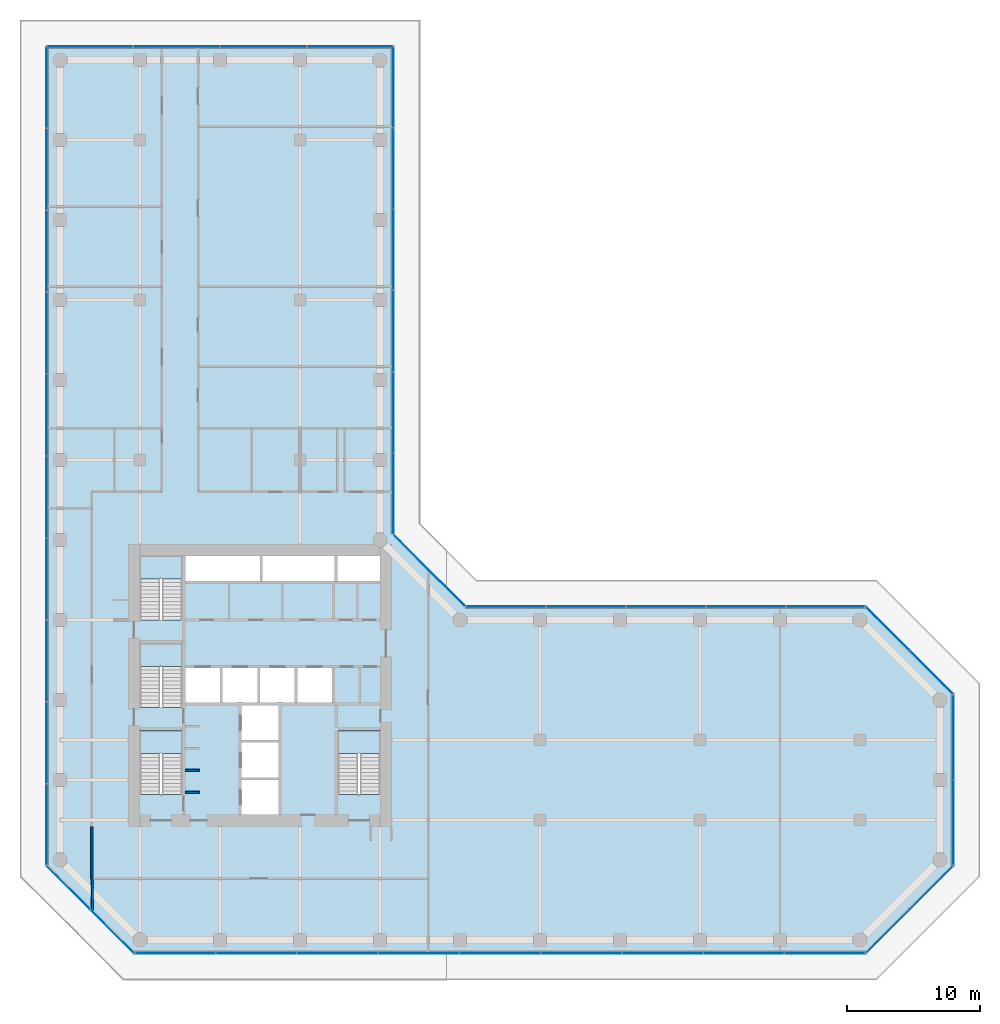
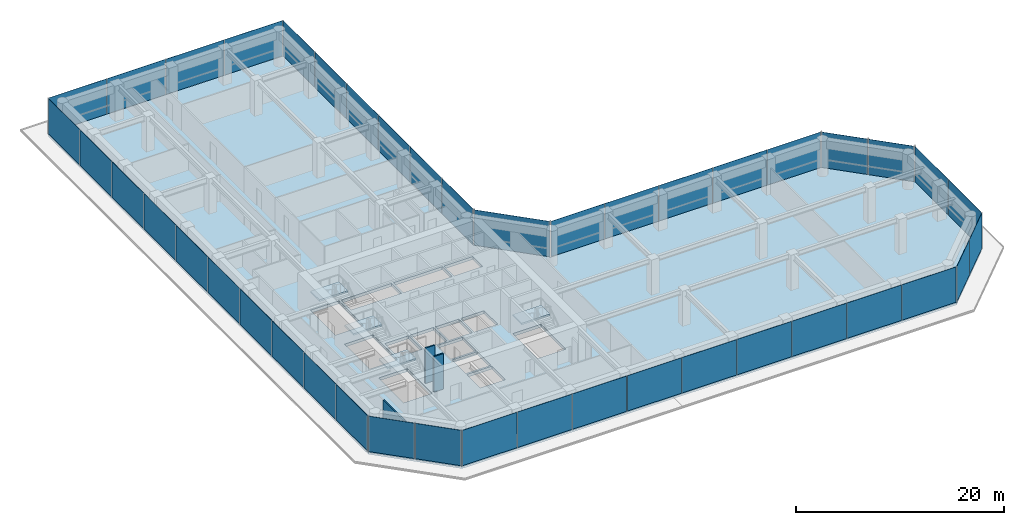
# One storey, part 20 of 24: 43 plates, 5 slabs, 4 walls, 14 elements without a shape of their own.
"""IFC4 building model written with IfcOpenShell, lengths in metres."""

from ifc_helpers import new_model, si_unit, direction, frame, frame_2d, origin, origin_2d, place, context, subcontext, project, spatial, polyline, rectangle, outline, extrude, material, layer, layer_set, type_object, element, aggregate, save


model = new_model("IFC4")

# Units and contexts
model_context = context("Model", 3, precision=1e-05, world=origin(), true_north=direction((0.0, 1.0)))
body_context = subcontext(model_context, "Body", "Model", "MODEL_VIEW")
ifc_project = project(units=[si_unit("LENGTHUNIT", "METRE"), si_unit("AREAUNIT", "SQUARE_METRE"), si_unit("VOLUMEUNIT", "CUBIC_METRE"), si_unit("PLANEANGLEUNIT", "RADIAN"), si_unit("MASSUNIT", "GRAM", prefix="KILO")], contexts=[model_context])

# Site, building, storey
site_placement = place(None, origin())
site = spatial("IfcSite", under=ifc_project, at=site_placement, CompositionType="ELEMENT")
building_placement = place(site_placement, origin())
building = spatial("IfcBuilding", under=site, at=building_placement, Name="Welwitschia Terrace Campus", CompositionType="ELEMENT")
storey_placement = place(building_placement, frame((0.0, 0.0, 20.0)))
storey = spatial("IfcBuildingStorey", under=building, at=storey_placement, Name="L04", CompositionType="ELEMENT", Elevation=20.0)

# Curtain wall, plates
ifc_material_1 = material(Name="Bronze anodised aluminium", Category="aluminium")
ifc_layer_1 = layer(ifc_material_1, 0.1201171875)
ifc_layer_set_1 = layer_set([ifc_layer_1], Name="Bronze anodised aluminium")
curtain_wall_type = type_object("IfcCurtainWallType", Name="Curtain wall CW2 tower 6000", PredefinedType="NOTDEFINED", material=ifc_layer_set_1)
curtain_wall_1_placement = place(storey_placement, origin())
curtain_wall_1 = element("IfcCurtainWall", 1, at=curtain_wall_1_placement, inside=storey, type_object=curtain_wall_type, Name="CW L04.0.0", PredefinedType="NOTDEFINED")
ifc_material_2 = material(Name="Tinted bronze-grey glass", Category="glass")
ifc_layer_2 = layer(ifc_material_2, 0.028076171875)
ifc_layer_set_2 = layer_set([ifc_layer_2], Name="Tinted bronze-grey glass")
plate_type = type_object("IfcPlateType", Name="Glass panel 28 tinted", PredefinedType="CURTAIN_PANEL", material=ifc_layer_set_2)
plate_1_placement = place(storey_placement, frame((0.639892578125, -0.08251953125, 0.0), z_axis=(0.0, 0.0, 1.0), x_axis=(0.707106781187, -0.707106781187, 0.0)))
plate_1 = element("IfcPlate", 2, at=plate_1_placement, type_object=plate_type, Name="Panel L04.0.0.0", PredefinedType="CURTAIN_PANEL", context=body_context, shape_type="SweptSolid", body=[
    extrude(rectangle(XDim=4.5751953125, YDim=0.028076171875, at=origin_2d()), origin(), (0.0, 0.0, 1.0), 4.14990234375),
])
plate_2_placement = place(storey_placement, frame((3.91748046875, -3.360107421875, 0.0), z_axis=(0.0, 0.0, 1.0), x_axis=(0.707106781187, -0.707106781187, 0.0)))
plate_2 = element("IfcPlate", 3, at=plate_2_placement, type_object=plate_type, Name="Panel L04.0.0.1", PredefinedType="CURTAIN_PANEL", context=body_context, shape_type="SweptSolid", body=[
    extrude(rectangle(XDim=4.5751953125, YDim=0.028076171875, at=origin_2d()), origin(), (0.0, 0.0, 1.0), 4.14990234375),
])
aggregate(curtain_wall_1, [plate_1, plate_2])

curtain_wall_2_placement = place(storey_placement, origin())
curtain_wall_2 = element("IfcCurtainWall", 4, at=curtain_wall_2_placement, inside=storey, type_object=curtain_wall_type, Name="CW L04.1.0", PredefinedType="NOTDEFINED")
plate_3_placement = place(storey_placement, frame((8.639404296875, -5.02001953125, 0.0), z_axis=(0.0, 0.0, 1.0), x_axis=(1.0, 0.0, 0.0)))
plate_3 = element("IfcPlate", 5, at=plate_3_placement, type_object=plate_type, Name="Panel L04.1.0.0", PredefinedType="CURTAIN_PANEL", context=body_context, shape_type="SweptSolid", body=[
    extrude(rectangle(XDim=6.00390625, YDim=0.028076171875, at=origin_2d()), origin(), (0.0, 0.0, 1.0), 4.14990234375),
])
plate_4_placement = place(storey_placement, frame((14.71826171875, -5.02001953125, 0.0), z_axis=(0.0, 0.0, 1.0), x_axis=(1.0, 0.0, 0.0)))
plate_4 = element("IfcPlate", 6, at=plate_4_placement, type_object=plate_type, Name="Panel L04.1.0.1", PredefinedType="CURTAIN_PANEL", context=body_context, shape_type="SweptSolid", body=[
    extrude(rectangle(XDim=6.033935546875, YDim=0.028076171875, at=origin_2d()), origin(), (0.0, 0.0, 1.0), 4.14990234375),
])
plate_5_placement = place(storey_placement, frame((20.812255859375, -5.02001953125, 0.0), z_axis=(0.0, 0.0, 1.0), x_axis=(1.0, 0.0, 0.0)))
plate_5 = element("IfcPlate", 7, at=plate_5_placement, type_object=plate_type, Name="Panel L04.1.0.2", PredefinedType="CURTAIN_PANEL", context=body_context, shape_type="SweptSolid", body=[
    extrude(rectangle(XDim=6.033935546875, YDim=0.028076171875, at=origin_2d()), origin(), (0.0, 0.0, 1.0), 4.14990234375),
])
plate_6_placement = place(storey_placement, frame((26.906005859375, -5.02001953125, 0.0), z_axis=(0.0, 0.0, 1.0), x_axis=(1.0, 0.0, 0.0)))
plate_6 = element("IfcPlate", 8, at=plate_6_placement, type_object=plate_type, Name="Panel L04.1.0.3", PredefinedType="CURTAIN_PANEL", context=body_context, shape_type="SweptSolid", body=[
    extrude(rectangle(XDim=6.033935546875, YDim=0.028076171875, at=origin_2d()), origin(), (0.0, 0.0, 1.0), 4.14990234375),
])
plate_7_placement = place(storey_placement, frame((33.0, -5.02001953125, 0.0), z_axis=(0.0, 0.0, 1.0), x_axis=(1.0, 0.0, 0.0)))
plate_7 = element("IfcPlate", 9, at=plate_7_placement, type_object=plate_type, Name="Panel L04.1.0.4", PredefinedType="CURTAIN_PANEL", context=body_context, shape_type="SweptSolid", body=[
    extrude(rectangle(XDim=6.033935546875, YDim=0.028076171875, at=origin_2d()), origin(), (0.0, 0.0, 1.0), 4.14990234375),
])
plate_8_placement = place(storey_placement, frame((39.093994140625, -5.02001953125, 0.0), z_axis=(0.0, 0.0, 1.0), x_axis=(1.0, 0.0, 0.0)))
plate_8 = element("IfcPlate", 10, at=plate_8_placement, type_object=plate_type, Name="Panel L04.1.0.5", PredefinedType="CURTAIN_PANEL", context=body_context, shape_type="SweptSolid", body=[
    extrude(rectangle(XDim=6.033935546875, YDim=0.028076171875, at=origin_2d()), origin(), (0.0, 0.0, 1.0), 4.14990234375),
])
plate_9_placement = place(storey_placement, frame((45.187744140625, -5.02001953125, 0.0), z_axis=(0.0, 0.0, 1.0), x_axis=(1.0, 0.0, 0.0)))
plate_9 = element("IfcPlate", 11, at=plate_9_placement, type_object=plate_type, Name="Panel L04.1.0.6", PredefinedType="CURTAIN_PANEL", context=body_context, shape_type="SweptSolid", body=[
    extrude(rectangle(XDim=6.033935546875, YDim=0.028076171875, at=origin_2d()), origin(), (0.0, 0.0, 1.0), 4.14990234375),
])
plate_10_placement = place(storey_placement, frame((51.28173828125, -5.02001953125, 0.0), z_axis=(0.0, 0.0, 1.0), x_axis=(1.0, 0.0, 0.0)))
plate_10 = element("IfcPlate", 12, at=plate_10_placement, type_object=plate_type, Name="Panel L04.1.0.7", PredefinedType="CURTAIN_PANEL", context=body_context, shape_type="SweptSolid", body=[
    extrude(rectangle(XDim=6.033935546875, YDim=0.028076171875, at=origin_2d()), origin(), (0.0, 0.0, 1.0), 4.14990234375),
])
plate_11_placement = place(storey_placement, frame((57.360595703125, -5.02001953125, 0.0), z_axis=(0.0, 0.0, 1.0), x_axis=(1.0, 0.0, 0.0)))
plate_11 = element("IfcPlate", 13, at=plate_11_placement, type_object=plate_type, Name="Panel L04.1.0.8", PredefinedType="CURTAIN_PANEL", context=body_context, shape_type="SweptSolid", body=[
    extrude(rectangle(XDim=6.00390625, YDim=0.028076171875, at=origin_2d()), origin(), (0.0, 0.0, 1.0), 4.14990234375),
])
aggregate(curtain_wall_2, [plate_3, plate_4, plate_5, plate_6, plate_7, plate_8, plate_9, plate_10, plate_11])

curtain_wall_3_placement = place(storey_placement, origin())
curtain_wall_3 = element("IfcCurtainWall", 14, at=curtain_wall_3_placement, inside=storey, type_object=curtain_wall_type, Name="CW L04.2.0", PredefinedType="NOTDEFINED")
plate_12_placement = place(storey_placement, frame((62.08251953125, -3.360107421875, 0.0), z_axis=(0.0, 0.0, 1.0), x_axis=(0.707106781187, 0.707106781187, 0.0)))
plate_12 = element("IfcPlate", 15, at=plate_12_placement, type_object=plate_type, Name="Panel L04.2.0.0", PredefinedType="CURTAIN_PANEL", context=body_context, shape_type="SweptSolid", body=[
    extrude(rectangle(XDim=4.5751953125, YDim=0.028076171875, at=origin_2d()), origin(), (0.0, 0.0, 1.0), 4.14990234375),
])
plate_13_placement = place(storey_placement, frame((65.360107421875, -0.08251953125, 0.0), z_axis=(0.0, 0.0, 1.0), x_axis=(0.707106781187, 0.707106781187, 0.0)))
plate_13 = element("IfcPlate", 16, at=plate_13_placement, type_object=plate_type, Name="Panel L04.2.0.1", PredefinedType="CURTAIN_PANEL", context=body_context, shape_type="SweptSolid", body=[
    extrude(rectangle(XDim=4.5751953125, YDim=0.028076171875, at=origin_2d()), origin(), (0.0, 0.0, 1.0), 4.14990234375),
])
aggregate(curtain_wall_3, [plate_12, plate_13])

curtain_wall_4_placement = place(storey_placement, origin())
curtain_wall_4 = element("IfcCurtainWall", 17, at=curtain_wall_4_placement, inside=storey, type_object=curtain_wall_type, Name="CW L04.3.0", PredefinedType="NOTDEFINED")
plate_14_placement = place(storey_placement, frame((67.02001953125, 4.8037109375, 0.0), z_axis=(0.0, 0.0, 1.0), x_axis=(0.0, 1.0, 0.0)))
plate_14 = element("IfcPlate", 18, at=plate_14_placement, type_object=plate_type, Name="Panel L04.3.0.0", PredefinedType="CURTAIN_PANEL", context=body_context, shape_type="SweptSolid", body=[
    extrude(rectangle(XDim=6.33251953125, YDim=0.028076171875, at=origin_2d()), origin(), (0.0, 0.0, 1.0), 4.14990234375),
])
plate_15_placement = place(storey_placement, frame((67.02001953125, 11.1962890625, 0.0), z_axis=(0.0, 0.0, 1.0), x_axis=(0.0, 1.0, 0.0)))
plate_15 = element("IfcPlate", 19, at=plate_15_placement, type_object=plate_type, Name="Panel L04.3.0.1", PredefinedType="CURTAIN_PANEL", context=body_context, shape_type="SweptSolid", body=[
    extrude(rectangle(XDim=6.33251953125, YDim=0.028076171875, at=origin_2d()), origin(), (0.0, 0.0, 1.0), 4.14990234375),
])
aggregate(curtain_wall_4, [plate_14, plate_15])

curtain_wall_5_placement = place(storey_placement, origin())
curtain_wall_5 = element("IfcCurtainWall", 20, at=curtain_wall_5_placement, inside=storey, type_object=curtain_wall_type, Name="CW L04.4.0", PredefinedType="NOTDEFINED")
plate_16_placement = place(storey_placement, frame((65.360107421875, 16.08251953125, 0.0), z_axis=(0.0, 0.0, 1.0), x_axis=(-0.707106781187, 0.707106781187, 0.0)))
plate_16 = element("IfcPlate", 21, at=plate_16_placement, type_object=plate_type, Name="Panel L04.4.0.0", PredefinedType="CURTAIN_PANEL", context=body_context, shape_type="SweptSolid", body=[
    extrude(rectangle(XDim=4.5751953125, YDim=0.028076171875, at=origin_2d()), origin(), (0.0, 0.0, 1.0), 4.14990234375),
])
plate_17_placement = place(storey_placement, frame((62.08251953125, 19.360107421875, 0.0), z_axis=(0.0, 0.0, 1.0), x_axis=(-0.707106781187, 0.707106781187, 0.0)))
plate_17 = element("IfcPlate", 22, at=plate_17_placement, type_object=plate_type, Name="Panel L04.4.0.1", PredefinedType="CURTAIN_PANEL", context=body_context, shape_type="SweptSolid", body=[
    extrude(rectangle(XDim=4.5751953125, YDim=0.028076171875, at=origin_2d()), origin(), (0.0, 0.0, 1.0), 4.14990234375),
])
aggregate(curtain_wall_5, [plate_16, plate_17])

curtain_wall_6_placement = place(storey_placement, origin())
curtain_wall_6 = element("IfcCurtainWall", 23, at=curtain_wall_6_placement, inside=storey, type_object=curtain_wall_type, Name="CW L04.5.0", PredefinedType="NOTDEFINED")
plate_18_placement = place(storey_placement, frame((57.407470703125, 21.02001953125, 0.0), z_axis=(0.0, 0.0, 1.0), x_axis=(-1.0, 0.0, 0.0)))
plate_18 = element("IfcPlate", 24, at=plate_18_placement, type_object=plate_type, Name="Panel L04.5.0.0", PredefinedType="CURTAIN_PANEL", context=body_context, shape_type="SweptSolid", body=[
    extrude(rectangle(XDim=5.909912109375, YDim=0.028076171875, at=origin_2d()), origin(), (0.0, 0.0, 1.0), 4.14990234375),
])
plate_19_placement = place(storey_placement, frame((51.422607421875, 21.02001953125, 0.0), z_axis=(0.0, 0.0, 1.0), x_axis=(-1.0, 0.0, 0.0)))
plate_19 = element("IfcPlate", 25, at=plate_19_placement, type_object=plate_type, Name="Panel L04.5.0.1", PredefinedType="CURTAIN_PANEL", context=body_context, shape_type="SweptSolid", body=[
    extrude(rectangle(XDim=5.93994140625, YDim=0.028076171875, at=origin_2d()), origin(), (0.0, 0.0, 1.0), 4.14990234375),
])
plate_20_placement = place(storey_placement, frame((45.422607421875, 21.02001953125, 0.0), z_axis=(0.0, 0.0, 1.0), x_axis=(-1.0, 0.0, 0.0)))
plate_20 = element("IfcPlate", 26, at=plate_20_placement, type_object=plate_type, Name="Panel L04.5.0.2", PredefinedType="CURTAIN_PANEL", context=body_context, shape_type="SweptSolid", body=[
    extrude(rectangle(XDim=5.93994140625, YDim=0.028076171875, at=origin_2d()), origin(), (0.0, 0.0, 1.0), 4.14990234375),
])
plate_21_placement = place(storey_placement, frame((39.422607421875, 21.02001953125, 0.0), z_axis=(0.0, 0.0, 1.0), x_axis=(-1.0, 0.0, 0.0)))
plate_21 = element("IfcPlate", 27, at=plate_21_placement, type_object=plate_type, Name="Panel L04.5.0.3", PredefinedType="CURTAIN_PANEL", context=body_context, shape_type="SweptSolid", body=[
    extrude(rectangle(XDim=5.93994140625, YDim=0.028076171875, at=origin_2d()), origin(), (0.0, 0.0, 1.0), 4.14990234375),
])
plate_22_placement = place(storey_placement, frame((33.4375, 21.02001953125, 0.0), z_axis=(0.0, 0.0, 1.0), x_axis=(-1.0, 0.0, 0.0)))
plate_22 = element("IfcPlate", 28, at=plate_22_placement, type_object=plate_type, Name="Panel L04.5.0.4", PredefinedType="CURTAIN_PANEL", context=body_context, shape_type="SweptSolid", body=[
    extrude(rectangle(XDim=5.909912109375, YDim=0.028076171875, at=origin_2d()), origin(), (0.0, 0.0, 1.0), 4.14990234375),
])
aggregate(curtain_wall_6, [plate_18, plate_19, plate_20, plate_21, plate_22])

# Curtain wall, plate
curtain_wall_7_placement = place(storey_placement, origin())
curtain_wall_7 = element("IfcCurtainWall", 29, at=curtain_wall_7_placement, inside=storey, type_object=curtain_wall_type, Name="CW L04.6.0", PredefinedType="NOTDEFINED")
plate_23_placement = place(storey_placement, frame((27.72119140625, 23.72119140625, 0.0), z_axis=(0.0, 0.0, 1.0), x_axis=(-0.707106781187, 0.707106781187, 0.0)))
plate_23 = element("IfcPlate", 30, at=plate_23_placement, type_object=plate_type, Name="Panel L04.6.0.0", PredefinedType="CURTAIN_PANEL", context=body_context, shape_type="SweptSolid", body=[
    extrude(rectangle(XDim=7.520263671875, YDim=0.028076171875, at=origin_2d()), origin(), (0.0, 0.0, 1.0), 4.14990234375),
])
aggregate(curtain_wall_7, [plate_23])

# Curtain wall, plates
curtain_wall_8_placement = place(storey_placement, origin())
curtain_wall_8 = element("IfcCurtainWall", 31, at=curtain_wall_8_placement, inside=storey, type_object=curtain_wall_type, Name="CW L04.7.0", PredefinedType="NOTDEFINED")
plate_24_placement = place(storey_placement, frame((25.02001953125, 29.4873046875, 0.0), z_axis=(0.0, 0.0, 1.0), x_axis=(0.0, 1.0, 0.0)))
plate_24 = element("IfcPlate", 32, at=plate_24_placement, type_object=plate_type, Name="Panel L04.7.0.0", PredefinedType="CURTAIN_PANEL", context=body_context, shape_type="SweptSolid", body=[
    extrude(rectangle(XDim=6.009521484375, YDim=0.028076171875, at=origin_2d()), origin(), (0.0, 0.0, 1.0), 4.14990234375),
])
plate_25_placement = place(storey_placement, frame((25.02001953125, 35.57177734375, 0.0), z_axis=(0.0, 0.0, 1.0), x_axis=(0.0, 1.0, 0.0)))
plate_25 = element("IfcPlate", 33, at=plate_25_placement, type_object=plate_type, Name="Panel L04.7.0.1", PredefinedType="CURTAIN_PANEL", context=body_context, shape_type="SweptSolid", body=[
    extrude(rectangle(XDim=6.03955078125, YDim=0.028076171875, at=origin_2d()), origin(), (0.0, 0.0, 1.0), 4.14990234375),
])
plate_26_placement = place(storey_placement, frame((25.02001953125, 41.67138671875, 0.0), z_axis=(0.0, 0.0, 1.0), x_axis=(0.0, 1.0, 0.0)))
plate_26 = element("IfcPlate", 34, at=plate_26_placement, type_object=plate_type, Name="Panel L04.7.0.2", PredefinedType="CURTAIN_PANEL", context=body_context, shape_type="SweptSolid", body=[
    extrude(rectangle(XDim=6.03955078125, YDim=0.028076171875, at=origin_2d()), origin(), (0.0, 0.0, 1.0), 4.14990234375),
])
plate_27_placement = place(storey_placement, frame((25.02001953125, 47.77099609375, 0.0), z_axis=(0.0, 0.0, 1.0), x_axis=(0.0, 1.0, 0.0)))
plate_27 = element("IfcPlate", 35, at=plate_27_placement, type_object=plate_type, Name="Panel L04.7.0.3", PredefinedType="CURTAIN_PANEL", context=body_context, shape_type="SweptSolid", body=[
    extrude(rectangle(XDim=6.03955078125, YDim=0.028076171875, at=origin_2d()), origin(), (0.0, 0.0, 1.0), 4.14990234375),
])
plate_28_placement = place(storey_placement, frame((25.02001953125, 53.87060546875, 0.0), z_axis=(0.0, 0.0, 1.0), x_axis=(0.0, 1.0, 0.0)))
plate_28 = element("IfcPlate", 36, at=plate_28_placement, type_object=plate_type, Name="Panel L04.7.0.4", PredefinedType="CURTAIN_PANEL", context=body_context, shape_type="SweptSolid", body=[
    extrude(rectangle(XDim=6.03955078125, YDim=0.028076171875, at=origin_2d()), origin(), (0.0, 0.0, 1.0), 4.14990234375),
])
plate_29_placement = place(storey_placement, frame((25.02001953125, 59.955322265625, 0.0), z_axis=(0.0, 0.0, 1.0), x_axis=(0.0, 1.0, 0.0)))
plate_29 = element("IfcPlate", 37, at=plate_29_placement, type_object=plate_type, Name="Panel L04.7.0.5", PredefinedType="CURTAIN_PANEL", context=body_context, shape_type="SweptSolid", body=[
    extrude(rectangle(XDim=6.009521484375, YDim=0.028076171875, at=origin_2d()), origin(), (0.0, 0.0, 1.0), 4.14990234375),
])
aggregate(curtain_wall_8, [plate_24, plate_25, plate_26, plate_27, plate_28, plate_29])

curtain_wall_9_placement = place(storey_placement, origin())
curtain_wall_9 = element("IfcCurtainWall", 38, at=curtain_wall_9_placement, inside=storey, type_object=curtain_wall_type, Name="CW L04.8.0", PredefinedType="NOTDEFINED")
plate_30_placement = place(storey_placement, frame((21.75, 63.02001953125, 0.0), z_axis=(0.0, 0.0, 1.0), x_axis=(-1.0, 0.0, 0.0)))
plate_30 = element("IfcPlate", 39, at=plate_30_placement, type_object=plate_type, Name="Panel L04.8.0.0", PredefinedType="CURTAIN_PANEL", context=body_context, shape_type="SweptSolid", body=[
    extrude(rectangle(XDim=6.419921875, YDim=0.028076171875, at=origin_2d()), origin(), (0.0, 0.0, 1.0), 4.14990234375),
])
plate_31_placement = place(storey_placement, frame((15.2548828125, 63.02001953125, 0.0), z_axis=(0.0, 0.0, 1.0), x_axis=(-1.0, 0.0, 0.0)))
plate_31 = element("IfcPlate", 40, at=plate_31_placement, type_object=plate_type, Name="Panel L04.8.0.1", PredefinedType="CURTAIN_PANEL", context=body_context, shape_type="SweptSolid", body=[
    extrude(rectangle(XDim=6.449951171875, YDim=0.028076171875, at=origin_2d()), origin(), (0.0, 0.0, 1.0), 4.14990234375),
])
plate_32_placement = place(storey_placement, frame((8.7451171875, 63.02001953125, 0.0), z_axis=(0.0, 0.0, 1.0), x_axis=(-1.0, 0.0, 0.0)))
plate_32 = element("IfcPlate", 41, at=plate_32_placement, type_object=plate_type, Name="Panel L04.8.0.2", PredefinedType="CURTAIN_PANEL", context=body_context, shape_type="SweptSolid", body=[
    extrude(rectangle(XDim=6.449951171875, YDim=0.028076171875, at=origin_2d()), origin(), (0.0, 0.0, 1.0), 4.14990234375),
])
plate_33_placement = place(storey_placement, frame((2.25, 63.02001953125, 0.0), z_axis=(0.0, 0.0, 1.0), x_axis=(-1.0, 0.0, 0.0)))
plate_33 = element("IfcPlate", 42, at=plate_33_placement, type_object=plate_type, Name="Panel L04.8.0.3", PredefinedType="CURTAIN_PANEL", context=body_context, shape_type="SweptSolid", body=[
    extrude(rectangle(XDim=6.419921875, YDim=0.028076171875, at=origin_2d()), origin(), (0.0, 0.0, 1.0), 4.14990234375),
])
aggregate(curtain_wall_9, [plate_30, plate_31, plate_32, plate_33])

curtain_wall_10_placement = place(storey_placement, origin())
curtain_wall_10 = element("IfcCurtainWall", 43, at=curtain_wall_10_placement, inside=storey, type_object=curtain_wall_type, Name="CW L04.9.0", PredefinedType="NOTDEFINED")
plate_34_placement = place(storey_placement, frame((-1.02001953125, 59.932861328125, 0.0), z_axis=(0.0, 0.0, 1.0), x_axis=(0.0, -1.0, 0.0)))
plate_34 = element("IfcPlate", 44, at=plate_34_placement, type_object=plate_type, Name="Panel L04.9.0.0", PredefinedType="CURTAIN_PANEL", context=body_context, shape_type="SweptSolid", body=[
    extrude(rectangle(XDim=6.05419921875, YDim=0.028076171875, at=origin_2d()), origin(), (0.0, 0.0, 1.0), 4.14990234375),
])
plate_35_placement = place(storey_placement, frame((-1.02001953125, 53.8037109375, 0.0), z_axis=(0.0, 0.0, 1.0), x_axis=(0.0, -1.0, 0.0)))
plate_35 = element("IfcPlate", 45, at=plate_35_placement, type_object=plate_type, Name="Panel L04.9.0.1", PredefinedType="CURTAIN_PANEL", context=body_context, shape_type="SweptSolid", body=[
    extrude(rectangle(XDim=6.084228515625, YDim=0.028076171875, at=origin_2d()), origin(), (0.0, 0.0, 1.0), 4.14990234375),
])
plate_36_placement = place(storey_placement, frame((-1.02001953125, 47.659423828125, 0.0), z_axis=(0.0, 0.0, 1.0), x_axis=(0.0, -1.0, 0.0)))
plate_36 = element("IfcPlate", 46, at=plate_36_placement, type_object=plate_type, Name="Panel L04.9.0.2", PredefinedType="CURTAIN_PANEL", context=body_context, shape_type="SweptSolid", body=[
    extrude(rectangle(XDim=6.084228515625, YDim=0.028076171875, at=origin_2d()), origin(), (0.0, 0.0, 1.0), 4.14990234375),
])
plate_37_placement = place(storey_placement, frame((-1.02001953125, 41.51513671875, 0.0), z_axis=(0.0, 0.0, 1.0), x_axis=(0.0, -1.0, 0.0)))
plate_37 = element("IfcPlate", 47, at=plate_37_placement, type_object=plate_type, Name="Panel L04.9.0.3", PredefinedType="CURTAIN_PANEL", context=body_context, shape_type="SweptSolid", body=[
    extrude(rectangle(XDim=6.084228515625, YDim=0.028076171875, at=origin_2d()), origin(), (0.0, 0.0, 1.0), 4.14990234375),
])
plate_38_placement = place(storey_placement, frame((-1.02001953125, 35.370849609375, 0.0), z_axis=(0.0, 0.0, 1.0), x_axis=(0.0, -1.0, 0.0)))
plate_38 = element("IfcPlate", 48, at=plate_38_placement, type_object=plate_type, Name="Panel L04.9.0.4", PredefinedType="CURTAIN_PANEL", context=body_context, shape_type="SweptSolid", body=[
    extrude(rectangle(XDim=6.084228515625, YDim=0.028076171875, at=origin_2d()), origin(), (0.0, 0.0, 1.0), 4.14990234375),
])
plate_39_placement = place(storey_placement, frame((-1.02001953125, 29.2265625, 0.0), z_axis=(0.0, 0.0, 1.0), x_axis=(0.0, -1.0, 0.0)))
plate_39 = element("IfcPlate", 49, at=plate_39_placement, type_object=plate_type, Name="Panel L04.9.0.5", PredefinedType="CURTAIN_PANEL", context=body_context, shape_type="SweptSolid", body=[
    extrude(rectangle(XDim=6.084228515625, YDim=0.028076171875, at=origin_2d()), origin(), (0.0, 0.0, 1.0), 4.14990234375),
])
plate_40_placement = place(storey_placement, frame((-1.02001953125, 23.082275390625, 0.0), z_axis=(0.0, 0.0, 1.0), x_axis=(0.0, -1.0, 0.0)))
plate_40 = element("IfcPlate", 50, at=plate_40_placement, type_object=plate_type, Name="Panel L04.9.0.6", PredefinedType="CURTAIN_PANEL", context=body_context, shape_type="SweptSolid", body=[
    extrude(rectangle(XDim=6.084228515625, YDim=0.028076171875, at=origin_2d()), origin(), (0.0, 0.0, 1.0), 4.14990234375),
])
plate_41_placement = place(storey_placement, frame((-1.02001953125, 16.938232421875, 0.0), z_axis=(0.0, 0.0, 1.0), x_axis=(0.0, -1.0, 0.0)))
plate_41 = element("IfcPlate", 51, at=plate_41_placement, type_object=plate_type, Name="Panel L04.9.0.7", PredefinedType="CURTAIN_PANEL", context=body_context, shape_type="SweptSolid", body=[
    extrude(rectangle(XDim=6.084228515625, YDim=0.028076171875, at=origin_2d()), origin(), (0.0, 0.0, 1.0), 4.14990234375),
])
plate_42_placement = place(storey_placement, frame((-1.02001953125, 10.7939453125, 0.0), z_axis=(0.0, 0.0, 1.0), x_axis=(0.0, -1.0, 0.0)))
plate_42 = element("IfcPlate", 52, at=plate_42_placement, type_object=plate_type, Name="Panel L04.9.0.8", PredefinedType="CURTAIN_PANEL", context=body_context, shape_type="SweptSolid", body=[
    extrude(rectangle(XDim=6.084228515625, YDim=0.028076171875, at=origin_2d()), origin(), (0.0, 0.0, 1.0), 4.14990234375),
])
plate_43_placement = place(storey_placement, frame((-1.02001953125, 4.66455078125, 0.0), z_axis=(0.0, 0.0, 1.0), x_axis=(0.0, -1.0, 0.0)))
plate_43 = element("IfcPlate", 53, at=plate_43_placement, type_object=plate_type, Name="Panel L04.9.0.9", PredefinedType="CURTAIN_PANEL", context=body_context, shape_type="SweptSolid", body=[
    extrude(rectangle(XDim=6.05419921875, YDim=0.028076171875, at=origin_2d()), origin(), (0.0, 0.0, 1.0), 4.14990234375),
])
aggregate(curtain_wall_10, [plate_34, plate_35, plate_36, plate_37, plate_38, plate_39, plate_40, plate_41, plate_42, plate_43])

# Stair, slab
ifc_material_3 = material(Name="Concrete C40/50", Category="concrete")
stair_type = type_object("IfcStairType", Name="Stair 24R 188 W1500", PredefinedType="HALF_TURN_STAIR", material=ifc_material_3)
stair_1_placement = place(storey_placement, origin())
stair_1 = element("IfcStair", 54, at=stair_1_placement, inside=storey, type_object=stair_type, Name="L04 Exit stair S1", PredefinedType="HALF_TURN_STAIR")
ifc_material_4 = material(Name="Concrete C40/50", Category="concrete")
ifc_layer_3 = layer(ifc_material_4, 0.199951171875)
ifc_layer_set_3 = layer_set([ifc_layer_3], Name="Concrete C40/50")
slab_type_1 = type_object("IfcSlabType", Name="Stair landing RC", PredefinedType="LANDING", material=ifc_layer_set_3)
slab_1_placement = place(storey_placement, frame((0.0, 0.0, 2.050048828125)))
slab_1 = element("IfcSlab", 55, at=slab_1_placement, type_object=slab_type_1, Name="S1 landing 1", PredefinedType="LANDING", context=body_context, shape_type="SweptSolid", body=[
    extrude(outline(polyline([(9.14990234375, 9.97998046875), (9.14990234375, 11.699951171875), (6.0, 11.699951171875), (6.0, 9.97998046875), (9.14990234375, 9.97998046875)])), origin(), (0.0, 0.0, 1.0), 0.199951171875),
])
aggregate(stair_1, [slab_1])

stair_2_placement = place(storey_placement, origin())
stair_2 = element("IfcStair", 56, at=stair_2_placement, inside=storey, type_object=stair_type, Name="L04 Exit stair S3", PredefinedType="HALF_TURN_STAIR")
slab_2_placement = place(storey_placement, frame((0.0, 0.0, 2.050048828125)))
slab_2 = element("IfcSlab", 57, at=slab_2_placement, type_object=slab_type_1, Name="S3 landing 1", PredefinedType="LANDING", context=body_context, shape_type="SweptSolid", body=[
    extrude(outline(polyline([(9.14990234375, 16.530029296875), (9.14990234375, 18.25), (6.0, 18.25), (6.0, 16.530029296875), (9.14990234375, 16.530029296875)])), origin(), (0.0, 0.0, 1.0), 0.199951171875),
])
aggregate(stair_2, [slab_2])

stair_3_placement = place(storey_placement, origin())
stair_3 = element("IfcStair", 58, at=stair_3_placement, inside=storey, type_object=stair_type, Name="L04 Exit stair S4", PredefinedType="HALF_TURN_STAIR")
slab_3_placement = place(storey_placement, frame((0.0, 0.0, 2.050048828125)))
slab_3 = element("IfcSlab", 59, at=slab_3_placement, type_object=slab_type_1, Name="S4 landing 1", PredefinedType="LANDING", context=body_context, shape_type="SweptSolid", body=[
    extrude(outline(polyline([(9.14990234375, 23.080078125), (9.14990234375, 24.800048828125), (6.0, 24.800048828125), (6.0, 23.080078125), (9.14990234375, 23.080078125)])), origin(), (0.0, 0.0, 1.0), 0.199951171875),
])
aggregate(stair_3, [slab_3])

stair_4_placement = place(storey_placement, origin())
stair_4 = element("IfcStair", 60, at=stair_4_placement, inside=storey, type_object=stair_type, Name="L04 Exit stair S2", PredefinedType="HALF_TURN_STAIR")
slab_4_placement = place(storey_placement, frame((0.0, 0.0, 2.050048828125)))
slab_4 = element("IfcSlab", 61, at=slab_4_placement, type_object=slab_type_1, Name="S2 landing 1", PredefinedType="LANDING", context=body_context, shape_type="SweptSolid", body=[
    extrude(outline(polyline([(24.0, 9.97998046875), (24.0, 11.699951171875), (20.85009765625, 11.699951171875), (20.85009765625, 9.97998046875), (24.0, 9.97998046875)])), origin(), (0.0, 0.0, 1.0), 0.199951171875),
])
aggregate(stair_4, [slab_4])

# Slab
ifc_material_5 = material(Name="Concrete C40/50", Category="concrete")
ifc_layer_4 = layer(ifc_material_5, 0.35009765625)
ifc_layer_set_4 = layer_set([ifc_layer_4], Name="Concrete C40/50")
slab_type_2 = type_object("IfcSlabType", Name="Suspended floor slab 350", PredefinedType="FLOOR", material=ifc_layer_set_4)
slab_5_placement = place(storey_placement, frame((0.0, 0.0, -0.35009765625)))
element("IfcSlab", 62, at=slab_5_placement, inside=storey, type_object=slab_type_2, Name="Floor slab L04", PredefinedType="FLOOR", context=body_context, shape_type="SweptSolid", body=[
    extrude(outline(polyline([(-1.0, 63.0), (25.0, 63.0), (25.0, 26.414306640625), (30.414306640625, 21.0), (60.414306640625, 21.0), (67.0, 14.414306640625), (67.0, 1.585693359375), (60.414306640625, -5.0), (5.585693359375, -5.0), (-1.0, 1.585693359375), (-1.0, 63.0)]), holes=[polyline([(13.60009765625, 8.0), (13.60009765625, 5.39990234375), (16.39990234375, 5.39990234375), (16.39990234375, 8.0), (13.60009765625, 8.0)]), polyline([(9.14990234375, 11.699951171875), (6.0, 11.699951171875), (6.0, 6.902099609375), (9.14990234375, 6.902099609375), (9.14990234375, 11.699951171875)]), polyline([(12.0, 16.39990234375), (9.39990234375, 16.39990234375), (9.39990234375, 13.800048828125), (12.0, 13.800048828125), (12.0, 16.39990234375)]), polyline([(14.800048828125, 16.39990234375), (12.199951171875, 16.39990234375), (12.199951171875, 13.800048828125), (14.800048828125, 13.800048828125), (14.800048828125, 16.39990234375)]), polyline([(9.14990234375, 18.25), (6.0, 18.25), (6.0, 13.451904296875), (9.14990234375, 13.451904296875), (9.14990234375, 18.25)]), polyline([(9.14990234375, 24.800048828125), (6.0, 24.800048828125), (6.0, 20.001953125), (9.14990234375, 20.001953125), (9.14990234375, 24.800048828125)]), polyline([(15.0, 24.800048828125), (9.39990234375, 24.800048828125), (9.39990234375, 22.89990234375), (15.0, 22.89990234375), (15.0, 24.800048828125)]), polyline([(20.85009765625, 11.699951171875), (20.85009765625, 6.902099609375), (24.0, 6.902099609375), (24.0, 11.699951171875), (20.85009765625, 11.699951171875)]), polyline([(16.39990234375, 10.800048828125), (13.60009765625, 10.800048828125), (13.60009765625, 8.199951171875), (16.39990234375, 8.199951171875), (16.39990234375, 10.800048828125)]), polyline([(16.39990234375, 13.60009765625), (13.60009765625, 13.60009765625), (13.60009765625, 11.0), (16.39990234375, 11.0), (16.39990234375, 13.60009765625)]), polyline([(17.60009765625, 16.39990234375), (15.0, 16.39990234375), (15.0, 13.800048828125), (17.60009765625, 13.800048828125), (17.60009765625, 16.39990234375)]), polyline([(20.39990234375, 16.39990234375), (17.800048828125, 16.39990234375), (17.800048828125, 13.800048828125), (20.39990234375, 13.800048828125), (20.39990234375, 16.39990234375)]), polyline([(20.60009765625, 24.800048828125), (15.199951171875, 24.800048828125), (15.199951171875, 22.89990234375), (20.60009765625, 22.89990234375), (20.60009765625, 24.800048828125)]), polyline([(24.0, 24.800048828125), (20.800048828125, 24.800048828125), (20.800048828125, 22.89990234375), (24.0, 22.89990234375), (24.0, 24.800048828125)])]), origin(), (0.0, 0.0, 1.0), 0.35009765625),
])

# Walls
ifc_material_6 = material(Name="Concrete C50/60", Category="concrete")
ifc_layer_5 = layer(ifc_material_6, 0.14990234375)
ifc_layer_set_5 = layer_set([ifc_layer_5], Name="Concrete C50/60")
wall_type_1 = type_object("IfcWallType", Name="Core wall 150 Concrete C50/60", PredefinedType="SHEAR", material=ifc_layer_set_5)
for number, where, z_axis, x_axis, name in (
    (63, (9.39990234375, 7.074951171875, 0.0), (0.0, 0.0, 1.0), (1.0, 0.0, 0.0), "Core wall"),
    (64, (9.39990234375, 8.72509765625, 0.0), (0.0, 0.0, 1.0), (1.0, 0.0, 0.0), "Core wall"),
):
    element("IfcWall", number, at=place(storey_placement, frame(where, z_axis=z_axis, x_axis=x_axis)), inside=storey, type_object=wall_type_1, Name=name, PredefinedType="SHEAR", context=body_context, shape_type="SweptSolid", body=[
        extrude(rectangle(XDim=1.050048828125, YDim=0.14990234375, at=frame_2d((0.52490234375, 0.0))), origin(), (0.0, 0.0, 1.0), 4.14990234375),
    ])
ifc_material_7 = material(Name="Gypsum board on steel studs", Category="steel")
ifc_layer_6 = layer(ifc_material_7, 0.14990234375)
ifc_layer_set_6 = layer_set([ifc_layer_6], Name="Gypsum board on steel studs")
wall_type_2 = type_object("IfcWallType", Name="Corridor partition 150 EI 30", PredefinedType="PARTITIONING", material=ifc_layer_set_6)
wall_1_placement = place(storey_placement, frame((2.39990234375, 0.60009765625, 0.0), z_axis=(0.0, 0.0, 1.0), x_axis=(0.0, 1.0, 0.0)))
element("IfcWall", 65, at=wall_1_placement, inside=storey, type_object=wall_type_2, Name="Partition", PredefinedType="PARTITIONING", context=body_context, shape_type="SweptSolid", body=[
    extrude(rectangle(XDim=3.89990234375, YDim=0.14990234375, at=frame_2d((1.949951171875, 0.0))), origin(), (0.0, 0.0, 1.0), 3.080078125),
])
wall_2_placement = place(storey_placement, frame((2.4296875, -1.77001953125, 0.0), z_axis=(0.0, 0.0, 1.0), x_axis=(0.0, 1.0, 0.0)))
element("IfcWall", 66, at=wall_2_placement, inside=storey, type_object=wall_type_2, Name="Partition", PredefinedType="PARTITIONING", context=body_context, shape_type="SweptSolid", body=[
    extrude(rectangle(XDim=2.3701171875, YDim=0.14990234375, at=frame_2d((1.18505859375, 0.0))), origin(), (0.0, 0.0, 1.0), 3.080078125),
])

save(model, "model.ifc")
